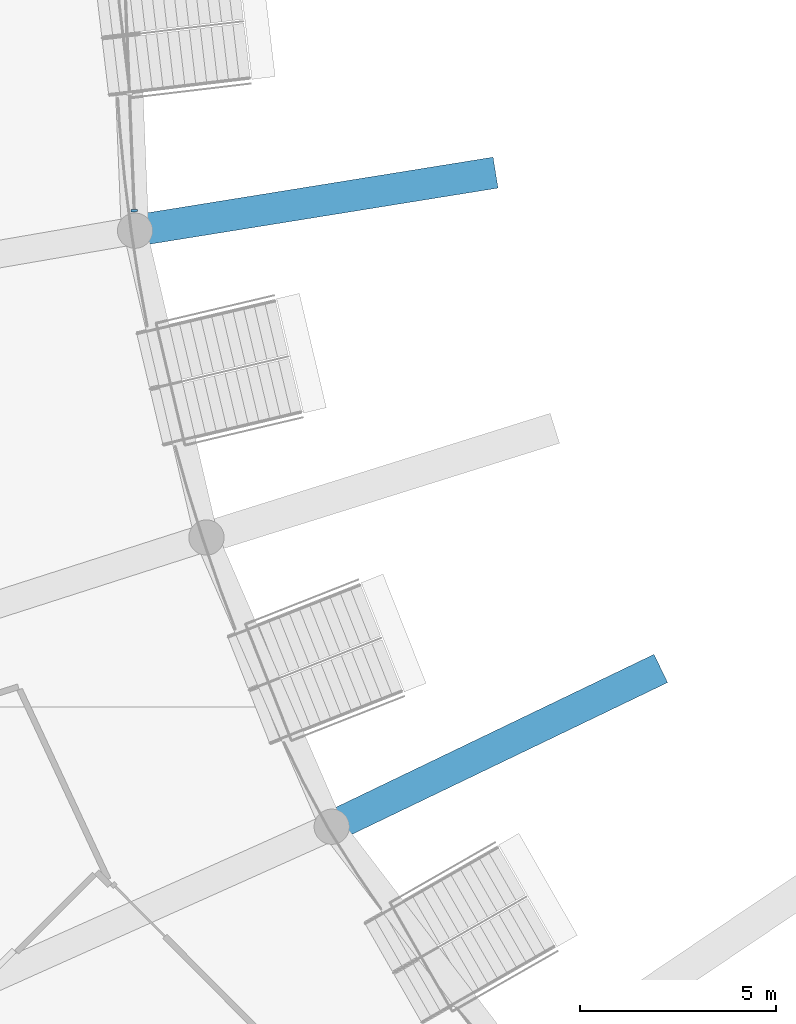
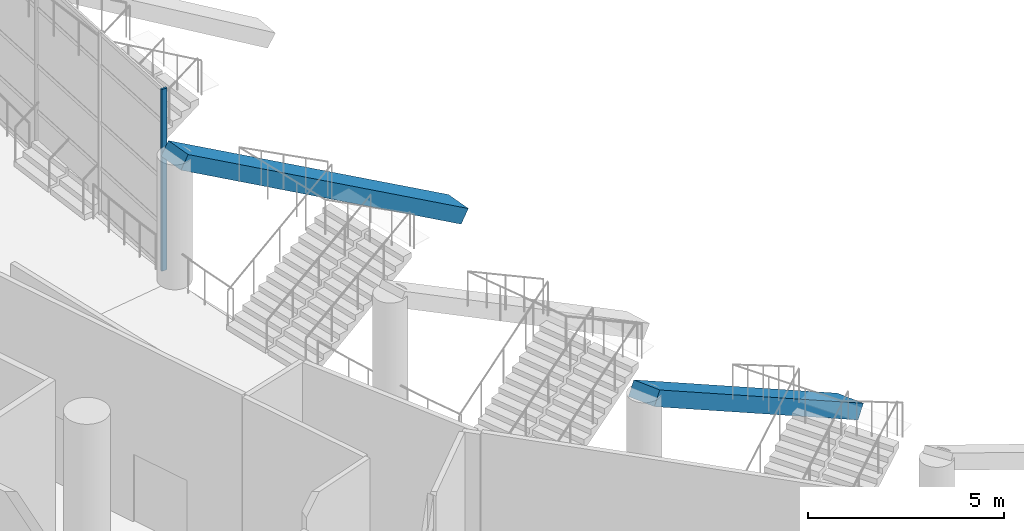
# One storey, part 4 of 173: 2 beams, 1 member, 1 element without a shape of its own.
"""IFC4 building model written with IfcOpenShell, lengths in metres."""

from ifc_helpers import new_model, si_unit, direction, frame, origin, origin_2d, place, context, subcontext, project, spatial, rectangle, extrude, material, layer, layer_set, material_profile, profile_set, type_object, element, aggregate, save


model = new_model("IFC4")

# Units and contexts
model_context = context("Model", 3, precision=1e-05, world=origin(), true_north=direction((0.0, 1.0)))
body_context = subcontext(model_context, "Body", "Model", "MODEL_VIEW")
ifc_project = project(units=[si_unit("LENGTHUNIT", "METRE"), si_unit("AREAUNIT", "SQUARE_METRE"), si_unit("VOLUMEUNIT", "CUBIC_METRE"), si_unit("PLANEANGLEUNIT", "RADIAN"), si_unit("MASSUNIT", "GRAM", prefix="KILO")], contexts=[model_context])

# Site, building, storey
site_placement = place(None, origin())
site = spatial("IfcSite", under=ifc_project, at=site_placement, CompositionType="ELEMENT")
building_placement = place(site_placement, origin())
building = spatial("IfcBuilding", under=site, at=building_placement, Name="Meseta Stadium", CompositionType="ELEMENT")
storey_placement = place(building_placement, frame((0.0, 0.0, 18.0)))
storey = spatial("IfcBuildingStorey", under=building, at=storey_placement, Name="L03", CompositionType="ELEMENT", Elevation=18.0)

# Curtain wall, member
ifc_material_1 = material(Name="Aluminium", Category="aluminium")
ifc_layer = layer(ifc_material_1, 0.25)
ifc_layer_set = layer_set([ifc_layer], Name="Media Centre glazing curtain wall")
curtain_wall_type = type_object("IfcCurtainWallType", Name="Media Centre glazing curtain wall", PredefinedType="NOTDEFINED", material=ifc_layer_set)
curtain_wall_placement = place(storey_placement, origin())
curtain_wall = element("IfcCurtainWall", 1, at=curtain_wall_placement, inside=storey, type_object=curtain_wall_type, Name="Media Centre glazing bay 36", PredefinedType="NOTDEFINED")
ifc_material_2 = material(Name="Aluminium", Category="aluminium")
ifc_material_profile_1 = material_profile(ifc_material_2, rectangle(XDim=0.159912109375, YDim=0.06005859375, at=origin_2d()), Name="CW 160x60")
ifc_profile_set_1 = profile_set([ifc_material_profile_1], Name="Aluminium")
member_type = type_object("IfcMemberType", Name="CW mullion 60x160", PredefinedType="MULLION", material=ifc_profile_set_1)
member_placement = place(storey_placement, frame((-73.013427734375, -51.335205078125, 0.0), z_axis=(0.0, 0.0, 1.0), x_axis=(0.999147810841, 0.041275320623, 0.0)))
member = element("IfcMember", 2, at=member_placement, type_object=member_type, Name="CWM mullion 4", PredefinedType="MULLION", context=body_context, shape_type="SweptSolid", body=[
    extrude(rectangle(XDim=0.159912109375, YDim=0.06005859375, at=origin_2d()), origin(), (0.0, 0.0, 1.0), 5.64990234375),
])
aggregate(curtain_wall, [member])

# Beams
ifc_material_3 = material(Name="Concrete C40/50", Category="concrete")
ifc_material_profile_2 = material_profile(ifc_material_3, rectangle(XDim=0.800048828125, YDim=0.449951171875, at=origin_2d()), Name="RC 800x450")
ifc_profile_set_2 = profile_set([ifc_material_profile_2], Name="Concrete C40/50")
beam_type = type_object("IfcBeamType", Name="RC raker upper rear 800x450", PredefinedType="USERDEFINED", material=ifc_profile_set_2)
beam_1_placement = place(storey_placement, frame((-63.9091796875, -50.38427734375, -1.880126953125), z_axis=(-0.837420529896, -0.134873234468, 0.529656555451), x_axis=(0.159008836168, -0.987277159677, 0.0)))
element("IfcBeam", 3, at=beam_1_placement, inside=storey, type_object=beam_type, Name="Raker upper rear frame 37 upper tier", ObjectType="RAKER", PredefinedType="USERDEFINED", context=body_context, shape_type="SweptSolid", body=[
    extrude(rectangle(XDim=0.800048828125, YDim=0.449951171875, at=origin_2d()), origin(), (0.0, 0.0, 1.0), 10.846435546875),
])
beam_2_placement = place(storey_placement, frame((-59.681396484375, -63.070556640625, -1.796875), z_axis=(-0.764771201297, -0.367792793274, 0.529011787093), x_axis=(0.433403864315, -0.901199806034, 0.0)))
element("IfcBeam", 4, at=beam_2_placement, inside=storey, type_object=beam_type, Name="Raker upper rear frame 39 upper tier", ObjectType="RAKER", PredefinedType="USERDEFINED", context=body_context, shape_type="SweptSolid", body=[
    extrude(rectangle(XDim=0.800048828125, YDim=0.449951171875, at=origin_2d()), origin(), (0.0, 0.0, 1.0), 10.841064453125),
])

save(model, "model.ifc")
